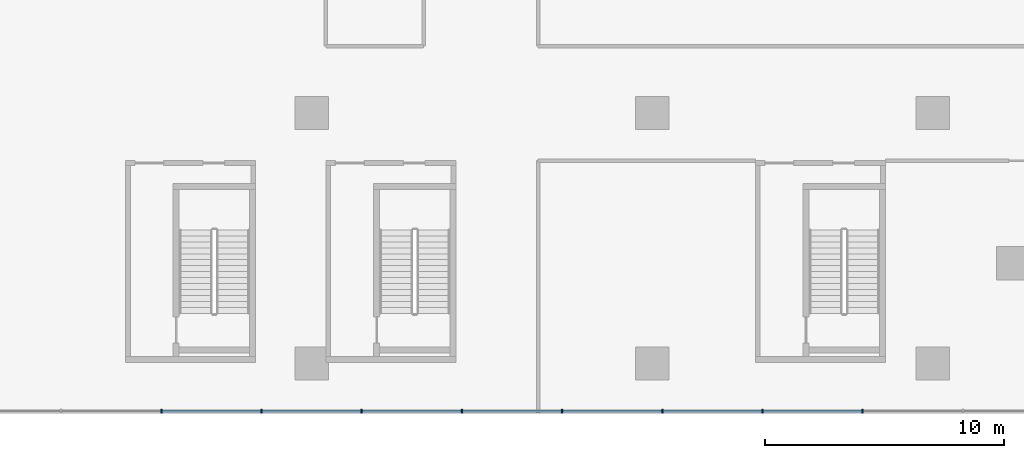
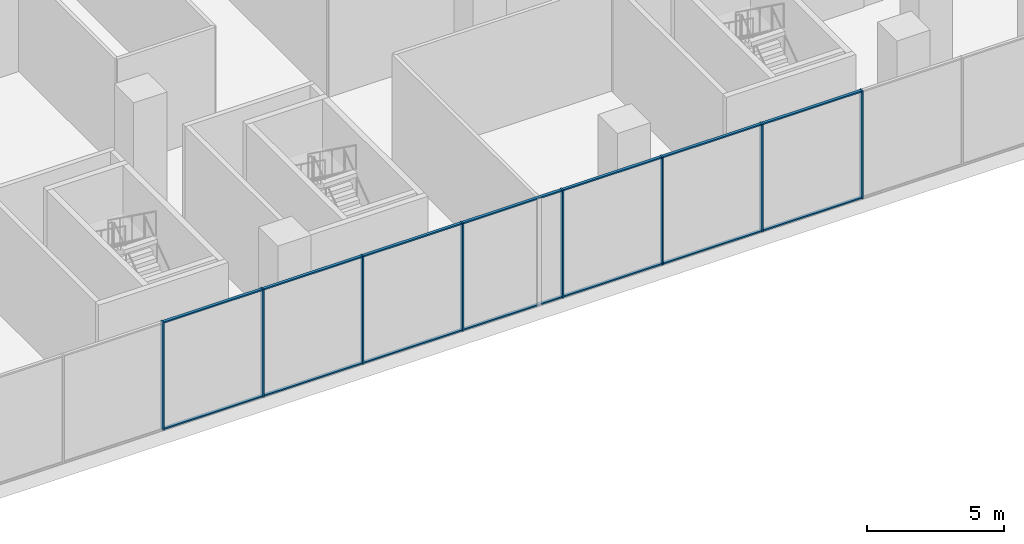
# One storey, part 5 of 24: 22 members, 1 element without a shape of its own.
"""IFC4 building model written with IfcOpenShell, lengths in metres."""

from ifc_helpers import new_model, si_unit, direction, frame, origin, origin_2d, place, context, subcontext, project, spatial, rectangle, extrude, source, transform, mapped, material, layer, layer_set, material_profile, profile_set, type_object, element, aggregate, save


model = new_model("IFC4")

# Units and contexts
model_context = context("Model", 3, precision=1e-05, world=origin(), true_north=direction((0.0, 1.0)))
body_context = subcontext(model_context, "Body", "Model", "MODEL_VIEW")
ifc_project = project(units=[si_unit("LENGTHUNIT", "METRE"), si_unit("AREAUNIT", "SQUARE_METRE"), si_unit("VOLUMEUNIT", "CUBIC_METRE"), si_unit("PLANEANGLEUNIT", "RADIAN"), si_unit("MASSUNIT", "GRAM", prefix="KILO")], contexts=[model_context])

# Site, building, storey
site_placement = place(None, origin())
site = spatial("IfcSite", under=ifc_project, at=site_placement, CompositionType="ELEMENT")
building_placement = place(site_placement, origin())
building = spatial("IfcBuilding", under=site, at=building_placement, Name="Aurelian Terraces", CompositionType="ELEMENT")
storey_placement = place(building_placement, frame((0.0, 0.0, 12.9)))
storey = spatial("IfcBuildingStorey", under=building, at=storey_placement, Name="L02", CompositionType="ELEMENT", Elevation=12.9)

# Curtain wall, members
ifc_material_1 = material(Name="Anodised aluminium and clear glazing", Category="aluminium")
ifc_layer = layer(ifc_material_1, 0.2)
ifc_layer_set = layer_set([ifc_layer], Name="Winter garden glazing curtain wall")
curtain_wall_type = type_object("IfcCurtainWallType", Name="Winter garden glazing curtain wall", PredefinedType="NOTDEFINED", material=ifc_layer_set)
curtain_wall_placement = place(storey_placement, origin())
curtain_wall = element("IfcCurtainWall", 1, at=curtain_wall_placement, inside=storey, type_object=curtain_wall_type, Name="Winter garden glazing L02 F01.1", PredefinedType="NOTDEFINED")
ifc_material_2 = material(Name="Anodised aluminium", Category="aluminium")
ifc_material_profile_1 = material_profile(ifc_material_2, rectangle(XDim=0.18, YDim=0.06, at=origin_2d()))
ifc_profile_set_1 = profile_set([ifc_material_profile_1], Name="Anodised aluminium")
member_type_1 = type_object("IfcMemberType", Name="Winter garden glazing mullion", PredefinedType="MULLION", material=ifc_profile_set_1)
shared_shape_1 = source(origin(), body_context, "Body", "SweptSolid", [
    extrude(rectangle(XDim=0.18, YDim=0.06, at=origin_2d()), origin(), (0.0, 0.0, 1.0), 4.8),
])
member_1_placement = place(storey_placement, frame((31.5, -2.0, 0.0), z_axis=(0.0, 0.0, 1.0), x_axis=(0.0, 1.0, 0.0)))
member_1 = element("IfcMember", 2, at=member_1_placement, type_object=member_type_1, Name="CW6 mullion 9", PredefinedType="MULLION", context=body_context, shape_type="MappedRepresentation", body=[
    mapped(shared_shape_1, transform((0.0, 0.0, 0.0), scale=1.0)),
])
member_2_placement = place(storey_placement, frame((35.7, -2.0, 0.0), z_axis=(0.0, 0.0, 1.0), x_axis=(0.0, 1.0, 0.0)))
member_2 = element("IfcMember", 3, at=member_2_placement, type_object=member_type_1, Name="CW6 mullion 10", PredefinedType="MULLION", context=body_context, shape_type="MappedRepresentation", body=[
    mapped(shared_shape_1, transform((0.0, 0.0, 0.0), scale=1.0)),
])
member_3_placement = place(storey_placement, frame((39.9, -2.0, 0.0), z_axis=(0.0, 0.0, 1.0), x_axis=(0.0, 1.0, 0.0)))
member_3 = element("IfcMember", 4, at=member_3_placement, type_object=member_type_1, Name="CW6 mullion 11", PredefinedType="MULLION", context=body_context, shape_type="MappedRepresentation", body=[
    mapped(shared_shape_1, transform((0.0, 0.0, 0.0), scale=1.0)),
])
member_4_placement = place(storey_placement, frame((44.1, -2.0, 0.0), z_axis=(0.0, 0.0, 1.0), x_axis=(0.0, 1.0, 0.0)))
member_4 = element("IfcMember", 5, at=member_4_placement, type_object=member_type_1, Name="CW6 mullion 12", PredefinedType="MULLION", context=body_context, shape_type="MappedRepresentation", body=[
    mapped(shared_shape_1, transform((0.0, 0.0, 0.0), scale=1.0)),
])
member_5_placement = place(storey_placement, frame((48.3, -2.0, 0.0), z_axis=(0.0, 0.0, 1.0), x_axis=(0.0, 1.0, 0.0)))
member_5 = element("IfcMember", 6, at=member_5_placement, type_object=member_type_1, Name="CW6 mullion 13", PredefinedType="MULLION", context=body_context, shape_type="MappedRepresentation", body=[
    mapped(shared_shape_1, transform((0.0, 0.0, 0.0), scale=1.0)),
])
member_6_placement = place(storey_placement, frame((52.5, -2.0, 0.0), z_axis=(0.0, 0.0, 1.0), x_axis=(0.0, 1.0, 0.0)))
member_6 = element("IfcMember", 7, at=member_6_placement, type_object=member_type_1, Name="CW6 mullion 14", PredefinedType="MULLION", context=body_context, shape_type="MappedRepresentation", body=[
    mapped(shared_shape_1, transform((0.0, 0.0, 0.0), scale=1.0)),
])
member_7_placement = place(storey_placement, frame((56.7, -2.0, 0.0), z_axis=(0.0, 0.0, 1.0), x_axis=(0.0, 1.0, 0.0)))
member_7 = element("IfcMember", 8, at=member_7_placement, type_object=member_type_1, Name="CW6 mullion 15", PredefinedType="MULLION", context=body_context, shape_type="MappedRepresentation", body=[
    mapped(shared_shape_1, transform((0.0, 0.0, 0.0), scale=1.0)),
])
member_8_placement = place(storey_placement, frame((60.9, -2.0, 0.0), z_axis=(0.0, 0.0, 1.0), x_axis=(0.0, 1.0, 0.0)))
member_8 = element("IfcMember", 9, at=member_8_placement, type_object=member_type_1, Name="CW6 mullion 16", PredefinedType="MULLION", context=body_context, shape_type="MappedRepresentation", body=[
    mapped(shared_shape_1, transform((0.0, 0.0, 0.0), scale=1.0)),
])
ifc_material_profile_2 = material_profile(ifc_material_2, rectangle(XDim=0.12, YDim=0.06, at=origin_2d()))
ifc_profile_set_2 = profile_set([ifc_material_profile_2], Name="Anodised aluminium")
member_type_2 = type_object("IfcMemberType", Name="Winter garden glazing transom", PredefinedType="USERDEFINED", material=ifc_profile_set_2)
shared_shape_2 = source(origin(), body_context, "Body", "SweptSolid", [
    extrude(rectangle(XDim=0.12, YDim=0.06, at=origin_2d()), origin(), (0.0, 0.0, 1.0), 4.14),
])
member_9_placement = place(storey_placement, frame((31.53, -2.0, 0.03), z_axis=(1.0, 0.0, 0.0), x_axis=(0.0, 1.0, 0.0)))
member_9 = element("IfcMember", 10, at=member_9_placement, type_object=member_type_2, Name="CW6 transom 9.1", ObjectType="TRANSOM", PredefinedType="USERDEFINED", context=body_context, shape_type="MappedRepresentation", body=[
    mapped(shared_shape_2, transform((0.0, 0.0, 0.0), scale=1.0)),
])
member_10_placement = place(storey_placement, frame((31.53, -2.0, 4.77), z_axis=(1.0, 0.0, 0.0), x_axis=(0.0, 1.0, 0.0)))
member_10 = element("IfcMember", 11, at=member_10_placement, type_object=member_type_2, Name="CW6 transom 9.2", ObjectType="TRANSOM", PredefinedType="USERDEFINED", context=body_context, shape_type="MappedRepresentation", body=[
    mapped(shared_shape_2, transform((0.0, 0.0, 0.0), scale=1.0)),
])
member_11_placement = place(storey_placement, frame((35.73, -2.0, 0.03), z_axis=(1.0, 0.0, 0.0), x_axis=(0.0, 1.0, 0.0)))
member_11 = element("IfcMember", 12, at=member_11_placement, type_object=member_type_2, Name="CW6 transom 10.1", ObjectType="TRANSOM", PredefinedType="USERDEFINED", context=body_context, shape_type="MappedRepresentation", body=[
    mapped(shared_shape_2, transform((0.0, 0.0, 0.0), scale=1.0)),
])
member_12_placement = place(storey_placement, frame((35.73, -2.0, 4.77), z_axis=(1.0, 0.0, 0.0), x_axis=(0.0, 1.0, 0.0)))
member_12 = element("IfcMember", 13, at=member_12_placement, type_object=member_type_2, Name="CW6 transom 10.2", ObjectType="TRANSOM", PredefinedType="USERDEFINED", context=body_context, shape_type="MappedRepresentation", body=[
    mapped(shared_shape_2, transform((0.0, 0.0, 0.0), scale=1.0)),
])
member_13_placement = place(storey_placement, frame((39.93, -2.0, 0.03), z_axis=(1.0, 0.0, 0.0), x_axis=(0.0, 1.0, 0.0)))
member_13 = element("IfcMember", 14, at=member_13_placement, type_object=member_type_2, Name="CW6 transom 11.1", ObjectType="TRANSOM", PredefinedType="USERDEFINED", context=body_context, shape_type="MappedRepresentation", body=[
    mapped(shared_shape_2, transform((0.0, 0.0, 0.0), scale=1.0)),
])
member_14_placement = place(storey_placement, frame((39.93, -2.0, 4.77), z_axis=(1.0, 0.0, 0.0), x_axis=(0.0, 1.0, 0.0)))
member_14 = element("IfcMember", 15, at=member_14_placement, type_object=member_type_2, Name="CW6 transom 11.2", ObjectType="TRANSOM", PredefinedType="USERDEFINED", context=body_context, shape_type="MappedRepresentation", body=[
    mapped(shared_shape_2, transform((0.0, 0.0, 0.0), scale=1.0)),
])
member_15_placement = place(storey_placement, frame((44.13, -2.0, 0.03), z_axis=(1.0, 0.0, 0.0), x_axis=(0.0, 1.0, 0.0)))
member_15 = element("IfcMember", 16, at=member_15_placement, type_object=member_type_2, Name="CW6 transom 12.1", ObjectType="TRANSOM", PredefinedType="USERDEFINED", context=body_context, shape_type="MappedRepresentation", body=[
    mapped(shared_shape_2, transform((0.0, 0.0, 0.0), scale=1.0)),
])
member_16_placement = place(storey_placement, frame((44.13, -2.0, 4.77), z_axis=(1.0, 0.0, 0.0), x_axis=(0.0, 1.0, 0.0)))
member_16 = element("IfcMember", 17, at=member_16_placement, type_object=member_type_2, Name="CW6 transom 12.2", ObjectType="TRANSOM", PredefinedType="USERDEFINED", context=body_context, shape_type="MappedRepresentation", body=[
    mapped(shared_shape_2, transform((0.0, 0.0, 0.0), scale=1.0)),
])
member_17_placement = place(storey_placement, frame((48.33, -2.0, 0.03), z_axis=(1.0, 0.0, 0.0), x_axis=(0.0, 1.0, 0.0)))
member_17 = element("IfcMember", 18, at=member_17_placement, type_object=member_type_2, Name="CW6 transom 13.1", ObjectType="TRANSOM", PredefinedType="USERDEFINED", context=body_context, shape_type="MappedRepresentation", body=[
    mapped(shared_shape_2, transform((0.0, 0.0, 0.0), scale=1.0)),
])
member_18_placement = place(storey_placement, frame((48.33, -2.0, 4.77), z_axis=(1.0, 0.0, 0.0), x_axis=(0.0, 1.0, 0.0)))
member_18 = element("IfcMember", 19, at=member_18_placement, type_object=member_type_2, Name="CW6 transom 13.2", ObjectType="TRANSOM", PredefinedType="USERDEFINED", context=body_context, shape_type="MappedRepresentation", body=[
    mapped(shared_shape_2, transform((0.0, 0.0, 0.0), scale=1.0)),
])
member_19_placement = place(storey_placement, frame((52.53, -2.0, 0.03), z_axis=(1.0, 0.0, 0.0), x_axis=(0.0, 1.0, 0.0)))
member_19 = element("IfcMember", 20, at=member_19_placement, type_object=member_type_2, Name="CW6 transom 14.1", ObjectType="TRANSOM", PredefinedType="USERDEFINED", context=body_context, shape_type="MappedRepresentation", body=[
    mapped(shared_shape_2, transform((0.0, 0.0, 0.0), scale=1.0)),
])
member_20_placement = place(storey_placement, frame((52.53, -2.0, 4.77), z_axis=(1.0, 0.0, 0.0), x_axis=(0.0, 1.0, 0.0)))
member_20 = element("IfcMember", 21, at=member_20_placement, type_object=member_type_2, Name="CW6 transom 14.2", ObjectType="TRANSOM", PredefinedType="USERDEFINED", context=body_context, shape_type="MappedRepresentation", body=[
    mapped(shared_shape_2, transform((0.0, 0.0, 0.0), scale=1.0)),
])
member_21_placement = place(storey_placement, frame((56.73, -2.0, 0.03), z_axis=(1.0, 0.0, 0.0), x_axis=(0.0, 1.0, 0.0)))
member_21 = element("IfcMember", 22, at=member_21_placement, type_object=member_type_2, Name="CW6 transom 15.1", ObjectType="TRANSOM", PredefinedType="USERDEFINED", context=body_context, shape_type="MappedRepresentation", body=[
    mapped(shared_shape_2, transform((0.0, 0.0, 0.0), scale=1.0)),
])
member_22_placement = place(storey_placement, frame((56.73, -2.0, 4.77), z_axis=(1.0, 0.0, 0.0), x_axis=(0.0, 1.0, 0.0)))
member_22 = element("IfcMember", 23, at=member_22_placement, type_object=member_type_2, Name="CW6 transom 15.2", ObjectType="TRANSOM", PredefinedType="USERDEFINED", context=body_context, shape_type="MappedRepresentation", body=[
    mapped(shared_shape_2, transform((0.0, 0.0, 0.0), scale=1.0)),
])
aggregate(curtain_wall, [member_1, member_2, member_3, member_4, member_5, member_6, member_7, member_8, member_9, member_10, member_11, member_12, member_13, member_14, member_15, member_16, member_17, member_18, member_19, member_20, member_21, member_22])

save(model, "model.ifc")
